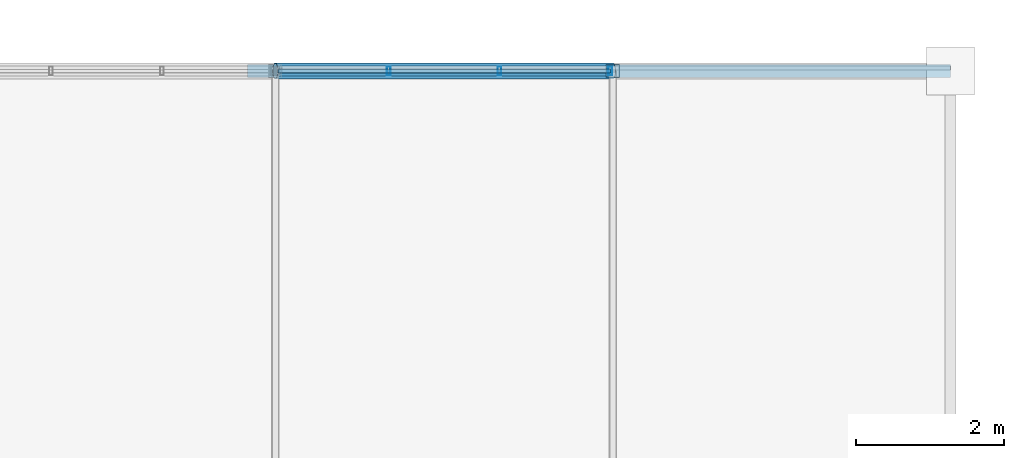
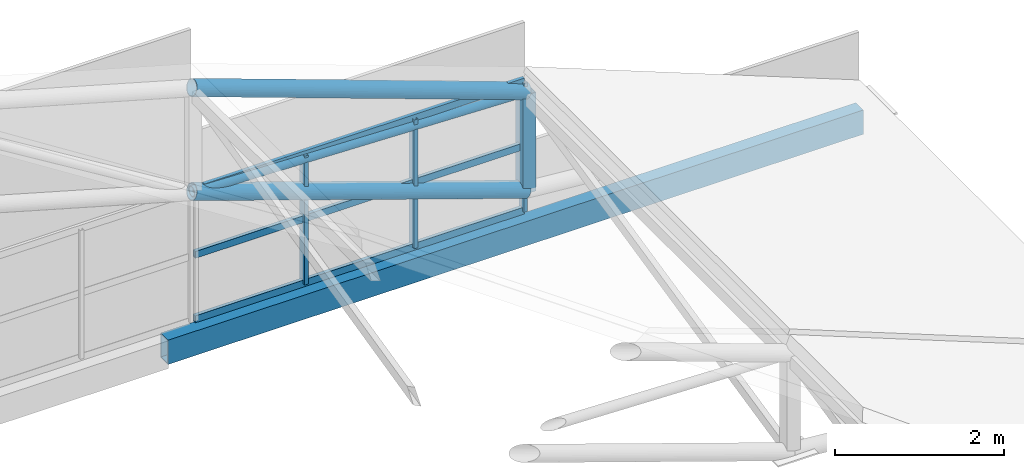
# One storey, part 74 of 101: 10 members, 1 beam, 1 element without a shape of its own.
"""IFC4 building model written with IfcOpenShell, lengths in metres."""

from ifc_helpers import new_model, si_unit, direction, frame, origin, origin_2d, place, context, subcontext, project, spatial, hollow_rectangle, hollow_circle, extrude, material, material_profile, profile_set, type_object, element, aggregate, save


model = new_model("IFC4")

# Units and contexts
model_context = context("Model", 3, precision=1e-05, world=origin(), true_north=direction((0.0, 1.0)))
body_context = subcontext(model_context, "Body", "Model", "MODEL_VIEW")
ifc_project = project(units=[si_unit("LENGTHUNIT", "METRE"), si_unit("AREAUNIT", "SQUARE_METRE"), si_unit("VOLUMEUNIT", "CUBIC_METRE"), si_unit("PLANEANGLEUNIT", "RADIAN"), si_unit("MASSUNIT", "GRAM", prefix="KILO")], contexts=[model_context])

# Site, building, storey
site_placement = place(None, origin())
site = spatial("IfcSite", under=ifc_project, at=site_placement, CompositionType="ELEMENT")
building_placement = place(site_placement, origin())
building = spatial("IfcBuilding", under=site, at=building_placement, Name="Solvikara Media Centre", CompositionType="ELEMENT")
storey_placement = place(building_placement, frame((0.0, 0.0, 10.199951171875)))
storey = spatial("IfcBuildingStorey", under=building, at=storey_placement, Name="L02", CompositionType="ELEMENT", Elevation=10.199951171875)

# Beam
ifc_material_1 = material(Name="Steel S355JR", Category="steel")
ifc_material_profile_1 = material_profile(ifc_material_1, hollow_rectangle(XDim=0.175048828125, YDim=0.35009765625, WallThickness=0.010009765625, at=origin_2d()), Name="RHS 350x175x10")
ifc_profile_set_1 = profile_set([ifc_material_profile_1], Name="Steel S355JR")
beam_type = type_object("IfcBeamType", Name="BM-34", PredefinedType="SPANDREL", material=ifc_profile_set_1)
beam_placement = place(storey_placement, frame((154.5, 114.0, -0.27490234375), z_axis=(1.0, 0.0, 0.0), x_axis=(0.0, 1.0, 0.0)))
element("IfcBeam", 1, at=beam_placement, inside=storey, type_object=beam_type, Name="B-L02-X0908", PredefinedType="SPANDREL", context=body_context, shape_type="SweptSolid", body=[
    extrude(hollow_rectangle(XDim=0.175048828125, YDim=0.35009765625, WallThickness=0.010009765625, at=origin_2d()), origin(), (0.0, 0.0, 1.0), 9.5),
])

# Members
ifc_material_profile_2 = material_profile(ifc_material_1, hollow_circle(Radius=0.109619140625, WallThickness=0.008056640625, at=origin_2d()), Name="CHS 219.1x8")
ifc_profile_set_2 = profile_set([ifc_material_profile_2], Name="Steel S355JR")
member_type_1 = type_object("IfcMemberType", Name="MB-05", PredefinedType="CHORD", material=ifc_profile_set_2)
member_1_placement = place(storey_placement, frame((154.875, 114.0, 3.365966796875), z_axis=(0.940941951614, 0.0, -0.338567930691), x_axis=(0.0, 1.0, 0.0)))
element("IfcMember", 2, at=member_1_placement, inside=storey, type_object=member_type_1, Name="BSB-TC-04-06", PredefinedType="CHORD", context=body_context, shape_type="SweptSolid", body=[
    extrude(hollow_circle(Radius=0.109619140625, WallThickness=0.008056640625, at=origin_2d()), origin(), (0.0, 0.0, 1.0), 4.849365234375),
])
member_2_placement = place(storey_placement, frame((154.875, 114.0, 1.865966796875), z_axis=(0.94585275082, 0.0, -0.324596016252), x_axis=(0.0, 1.0, 0.0)))
element("IfcMember", 3, at=member_2_placement, inside=storey, type_object=member_type_1, Name="BSB-BC-04-06", PredefinedType="CHORD", context=body_context, shape_type="SweptSolid", body=[
    extrude(hollow_circle(Radius=0.109619140625, WallThickness=0.008056640625, at=origin_2d()), origin(), (0.0, 0.0, 1.0), 4.82421875),
])
ifc_material_profile_3 = material_profile(ifc_material_1, hollow_circle(Radius=0.06982421875, WallThickness=0.00634765625, at=origin_2d()), Name="CHS 139.7x6.3")
ifc_profile_set_3 = profile_set([ifc_material_profile_3], Name="Steel S355JR")
member_type_2 = type_object("IfcMemberType", Name="MB-08", PredefinedType="BRACE", material=ifc_profile_set_3)
member_3_placement = place(storey_placement, frame((154.875, 114.0, 1.865966796875), z_axis=(0.999517175782, 0.0, -0.03107113318), x_axis=(0.0, 1.0, 0.0)))
element("IfcMember", 4, at=member_3_placement, inside=storey, type_object=member_type_2, Name="BSB-DG-04-06", PredefinedType="BRACE", context=body_context, shape_type="SweptSolid", body=[
    extrude(hollow_circle(Radius=0.06982421875, WallThickness=0.00634765625, at=origin_2d()), origin(), (0.0, 0.0, 1.0), 4.565185546875),
])
ifc_material_profile_4 = material_profile(ifc_material_1, hollow_rectangle(XDim=0.179931640625, YDim=0.179931640625, WallThickness=0.008056640625, at=origin_2d()), Name="RHS 180x180x8")
ifc_profile_set_4 = profile_set([ifc_material_profile_4], Name="Steel S355JR")
member_type_3 = type_object("IfcMemberType", Name="MB-14", PredefinedType="BRACE", material=ifc_profile_set_4)
member_4_placement = place(storey_placement, frame((159.43798828125, 114.0, 0.300048828125), z_axis=(0.0, 0.0, 1.0), x_axis=(1.0, 0.0, 0.0)))
element("IfcMember", 5, at=member_4_placement, inside=storey, type_object=member_type_3, Name="BSB-VT-04-07", PredefinedType="BRACE", context=body_context, shape_type="SweptSolid", body=[
    extrude(hollow_rectangle(XDim=0.179931640625, YDim=0.179931640625, WallThickness=0.008056640625, at=origin_2d()), origin(), (0.0, 0.0, 1.0), 1.424072265625),
])

# Curtain wall, members
ifc_material_2 = material(Name="Anodised aluminium EN AW-6063", Category="aluminium")
curtain_wall_type = type_object("IfcCurtainWallType", Name="CW-12", PredefinedType="NOTDEFINED", material=ifc_material_2)
curtain_wall_placement = place(storey_placement, origin())
curtain_wall = element("IfcCurtainWall", 6, at=curtain_wall_placement, inside=storey, type_object=curtain_wall_type, Name="CW-BSBN-CLR-06", PredefinedType="NOTDEFINED")
ifc_material_profile_5 = material_profile(ifc_material_2, hollow_rectangle(XDim=0.050048828125, YDim=0.1201171875, WallThickness=0.0029296875, at=origin_2d()), Name="ALU-M 50x120x3")
ifc_profile_set_5 = profile_set([ifc_material_profile_5], Name="Anodised aluminium EN AW-6063")
member_type_4 = type_object("IfcMemberType", Name="MF-06", PredefinedType="MULLION", material=ifc_profile_set_5)
member_5_placement = place(storey_placement, frame((156.407958984375, 114.0, 0.02001953125), z_axis=(0.0, 0.0, 1.0), x_axis=(1.0, 0.0, 0.0)))
member_5 = element("IfcMember", 7, at=member_5_placement, type_object=member_type_4, Name="CW-BSBN-CLR-06-M01", PredefinedType="MULLION", context=body_context, shape_type="SweptSolid", body=[
    extrude(hollow_rectangle(XDim=0.050048828125, YDim=0.1201171875, WallThickness=0.0029296875, at=origin_2d()), origin(), (0.0, 0.0, 1.0), 1.860107421875),
])
member_6_placement = place(storey_placement, frame((157.905029296875, 114.0, 0.02001953125), z_axis=(0.0, 0.0, 1.0), x_axis=(1.0, 0.0, 0.0)))
member_6 = element("IfcMember", 8, at=member_6_placement, type_object=member_type_4, Name="CW-BSBN-CLR-06-M02", PredefinedType="MULLION", context=body_context, shape_type="SweptSolid", body=[
    extrude(hollow_rectangle(XDim=0.050048828125, YDim=0.1201171875, WallThickness=0.0029296875, at=origin_2d()), origin(), (0.0, 0.0, 1.0), 1.860107421875),
])
member_7_placement = place(storey_placement, frame((159.403076171875, 114.0, 0.02001953125), z_axis=(0.0, 0.0, 1.0), x_axis=(1.0, 0.0, 0.0)))
member_7 = element("IfcMember", 9, at=member_7_placement, type_object=member_type_4, Name="CW-BSBN-CLR-06-M03", PredefinedType="MULLION", context=body_context, shape_type="SweptSolid", body=[
    extrude(hollow_rectangle(XDim=0.050048828125, YDim=0.1201171875, WallThickness=0.0029296875, at=origin_2d()), origin(), (0.0, 0.0, 1.0), 1.860107421875),
])
ifc_material_profile_6 = material_profile(ifc_material_2, hollow_rectangle(XDim=0.050048828125, YDim=0.10009765625, WallThickness=0.0029296875, at=origin_2d()), Name="ALU-T 50x100x3")
ifc_profile_set_6 = profile_set([ifc_material_profile_6], Name="Anodised aluminium EN AW-6063")
member_type_5 = type_object("IfcMemberType", Name="MF-12", PredefinedType="USERDEFINED", material=ifc_profile_set_6)
member_8_placement = place(storey_placement, frame((154.909912109375, 114.0, 0.02001953125), z_axis=(1.0, 0.0, 0.0), x_axis=(0.0, 1.0, 0.0)))
member_8 = element("IfcMember", 10, at=member_8_placement, type_object=member_type_5, Name="CW-BSBN-CLR-06-T00", ObjectType="TRANSOM", PredefinedType="USERDEFINED", context=body_context, shape_type="SweptSolid", body=[
    extrude(hollow_rectangle(XDim=0.050048828125, YDim=0.10009765625, WallThickness=0.0029296875, at=origin_2d()), origin(), (0.0, 0.0, 1.0), 4.4931640625),
])
member_9_placement = place(storey_placement, frame((154.909912109375, 114.0, 0.949951171875), z_axis=(1.0, 0.0, 0.0), x_axis=(0.0, 1.0, 0.0)))
member_9 = element("IfcMember", 11, at=member_9_placement, type_object=member_type_5, Name="CW-BSBN-CLR-06-T01", ObjectType="TRANSOM", PredefinedType="USERDEFINED", context=body_context, shape_type="SweptSolid", body=[
    extrude(hollow_rectangle(XDim=0.050048828125, YDim=0.10009765625, WallThickness=0.0029296875, at=origin_2d()), origin(), (0.0, 0.0, 1.0), 4.4931640625),
])
member_10_placement = place(storey_placement, frame((154.909912109375, 114.0, 1.880126953125), z_axis=(1.0, 0.0, 0.0), x_axis=(0.0, 1.0, 0.0)))
member_10 = element("IfcMember", 12, at=member_10_placement, type_object=member_type_5, Name="CW-BSBN-CLR-06-T02", ObjectType="TRANSOM", PredefinedType="USERDEFINED", context=body_context, shape_type="SweptSolid", body=[
    extrude(hollow_rectangle(XDim=0.050048828125, YDim=0.10009765625, WallThickness=0.0029296875, at=origin_2d()), origin(), (0.0, 0.0, 1.0), 4.4931640625),
])
aggregate(curtain_wall, [member_5, member_6, member_7, member_8, member_9, member_10])

save(model, "model.ifc")
